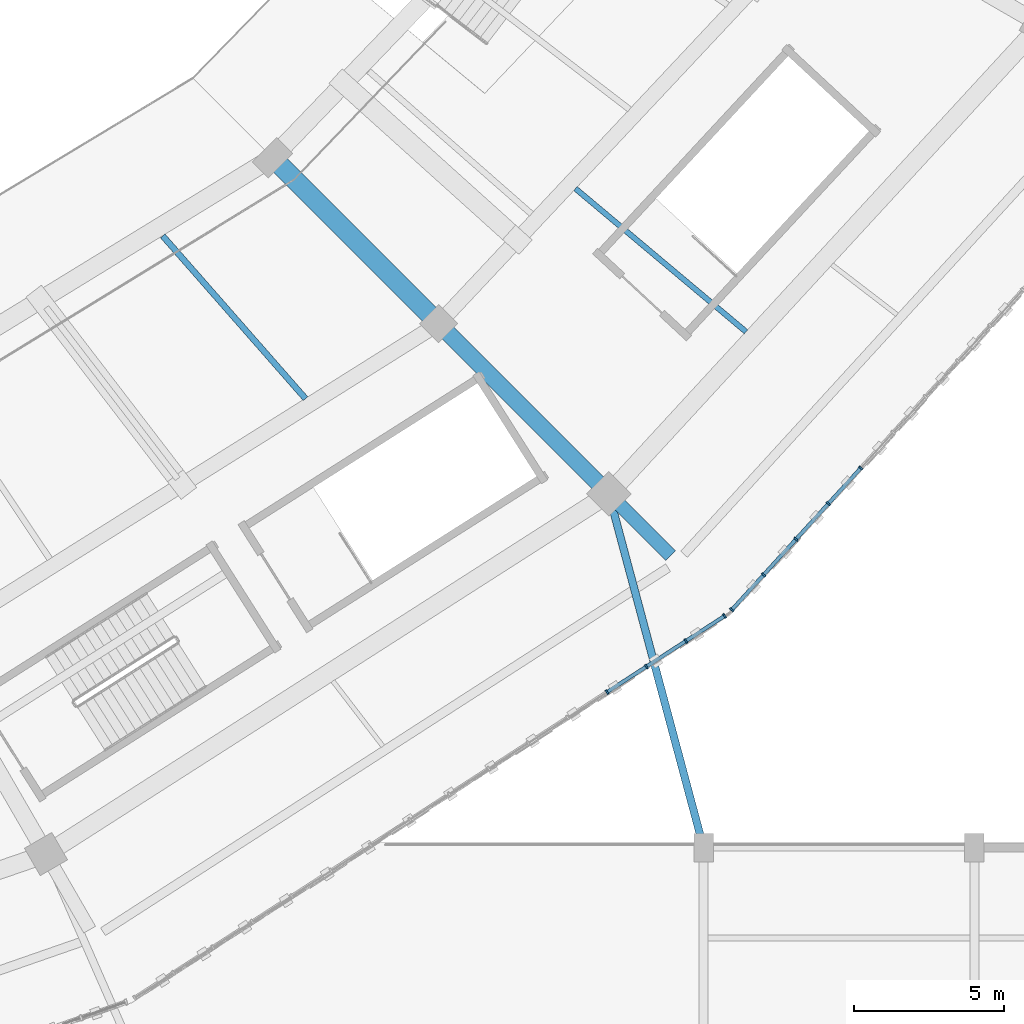
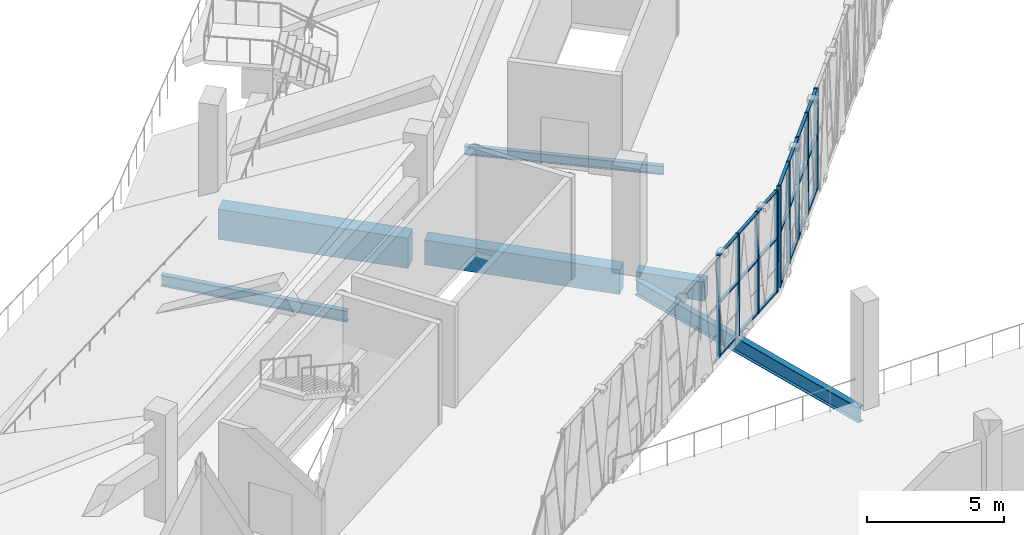
# One storey, part 30 of 152: 30 members, 6 beams, 2 elements without a shape of their own.
"""IFC4 building model written with IfcOpenShell, lengths in metres."""

from ifc_helpers import new_model, si_unit, direction, frame, origin, origin_2d, place, context, subcontext, project, spatial, rectangle, i_section, extrude, material, material_profile, profile_set, type_object, element, aggregate, save


model = new_model("IFC4")

# Units and contexts
model_context = context("Model", 3, precision=1e-05, world=origin(), true_north=direction((0.0, 1.0)))
body_context = subcontext(model_context, "Body", "Model", "MODEL_VIEW")
ifc_project = project(units=[si_unit("LENGTHUNIT", "METRE"), si_unit("AREAUNIT", "SQUARE_METRE"), si_unit("VOLUMEUNIT", "CUBIC_METRE"), si_unit("PLANEANGLEUNIT", "RADIAN"), si_unit("MASSUNIT", "GRAM", prefix="KILO")], contexts=[model_context])

# Site, building, storey
site_placement = place(None, origin())
site = spatial("IfcSite", under=ifc_project, at=site_placement, CompositionType="ELEMENT")
building_placement = place(site_placement, origin())
building = spatial("IfcBuilding", under=site, at=building_placement, Name="Zevraka Park Crest Stadium", CompositionType="ELEMENT")
storey_placement = place(building_placement, frame((0.0, 0.0, 15.0)))
storey = spatial("IfcBuildingStorey", under=building, at=storey_placement, Name="L03", CompositionType="ELEMENT", Elevation=15.0)

# Beams
ifc_material_1 = material(Name="Concrete C40/50", Category="concrete")
ifc_material_profile_1 = material_profile(ifc_material_1, rectangle(XDim=0.64990234375, YDim=1.35009765625, at=origin_2d()), Name="RC 1350x650")
ifc_profile_set_1 = profile_set([ifc_material_profile_1], Name="Concrete C40/50")
beam_type_1 = type_object("IfcBeamType", Name="BG01", PredefinedType="BEAM", material=ifc_profile_set_1)
beam_1_placement = place(storey_placement, frame((164.89111328125, 49.715087890625, -0.68505859375), z_axis=(0.707157639372, -0.707055919343, 0.0), x_axis=(0.707055919343, 0.707157639372, 0.0)))
element("IfcBeam", 1, at=beam_1_placement, inside=storey, type_object=beam_type_1, Name="Radial Girder BG01 L03-BC-21", PredefinedType="BEAM", context=body_context, shape_type="SweptSolid", body=[
    extrude(rectangle(XDim=0.64990234375, YDim=1.35009765625, at=origin_2d()), origin(), (0.0, 0.0, 1.0), 7.200439453125),
])
ifc_material_2 = material(Name="Concrete C40/50", Category="concrete")
ifc_material_profile_2 = material_profile(ifc_material_2, rectangle(XDim=0.550048828125, YDim=1.10009765625, at=origin_2d()), Name="RC 1100x550")
ifc_profile_set_2 = profile_set([ifc_material_profile_2], Name="Concrete C40/50")
beam_type_2 = type_object("IfcBeamType", Name="BG02", PredefinedType="BEAM", material=ifc_profile_set_2)
beam_2_placement = place(storey_placement, frame((170.406982421875, 44.199951171875, -0.56005859375), z_axis=(0.707106781187, -0.707106781187, 0.0), x_axis=(0.707106781187, 0.707106781187, 0.0)))
element("IfcBeam", 2, at=beam_2_placement, inside=storey, type_object=beam_type_2, Name="Radial Girder BG02 L03-CD-21", PredefinedType="BEAM", context=body_context, shape_type="SweptSolid", body=[
    extrude(rectangle(XDim=0.550048828125, YDim=1.10009765625, at=origin_2d()), origin(), (0.0, 0.0, 1.0), 7.400390625),
])
ifc_material_3 = material(Name="Concrete C40/50", Category="concrete")
ifc_material_profile_3 = material_profile(ifc_material_3, rectangle(XDim=0.449951171875, YDim=0.85009765625, at=origin_2d()), Name="RC 850x450")
ifc_profile_set_3 = profile_set([ifc_material_profile_3], Name="Concrete C40/50")
beam_type_3 = type_object("IfcBeamType", Name="BG03", PredefinedType="BEAM", material=ifc_profile_set_3)
beam_3_placement = place(storey_placement, frame((176.06396484375, 38.54296875, -0.43505859375), z_axis=(0.706965918589, -0.707247615728, 0.0), x_axis=(0.707247615728, 0.706965918589, 0.0)))
element("IfcBeam", 3, at=beam_3_placement, inside=storey, type_object=beam_type_3, Name="Radial Girder BG03 L03-DE-21", PredefinedType="BEAM", context=body_context, shape_type="SweptSolid", body=[
    extrude(rectangle(XDim=0.449951171875, YDim=0.85009765625, at=origin_2d()), origin(), (0.0, 0.0, 1.0), 2.60009765625),
])
ifc_material_4 = material(Name="Steel S355", Category="steel")
ifc_material_profile_4 = material_profile(ifc_material_4, i_section(OverallWidth=0.253662109375, OverallDepth=0.68359375, WebThickness=0.012451171875, FlangeThickness=0.01904296875, at=origin_2d()), Name="UKB 686x254x140")
ifc_profile_set_4 = profile_set([ifc_material_profile_4], Name="Steel S355")
beam_type_4 = type_object("IfcBeamType", Name="BG05", PredefinedType="BEAM", material=ifc_profile_set_4)
beam_4_placement = place(storey_placement, frame((178.947998046875, 27.193115234375, -0.649658203125), z_axis=(-0.25869045552, 0.96596027259, 0.0), x_axis=(-0.96596027259, -0.25869045552, 0.0)))
element("IfcBeam", 4, at=beam_4_placement, inside=storey, type_object=beam_type_4, Name="Wing Link Girder BG05 L03-20/D", PredefinedType="BEAM", context=body_context, shape_type="SweptSolid", body=[
    extrude(i_section(OverallWidth=0.253662109375, OverallDepth=0.68359375, WebThickness=0.012451171875, FlangeThickness=0.01904296875, at=origin_2d()), origin(), (0.0, 0.0, 1.0), 11.58935546875),
])

# Curtain wall, members
ifc_material_5 = material(Name="Anodised architectural aluminium and laminated safety glass", Category="aluminium")
curtain_wall_type = type_object("IfcCurtainWallType", Name="CW13", PredefinedType="NOTDEFINED", material=ifc_material_5)
curtain_wall_1_placement = place(storey_placement, origin())
curtain_wall_1 = element("IfcCurtainWall", 5, at=curtain_wall_1_placement, inside=storey, type_object=curtain_wall_type, Name="Unitised Ring Curtain Wall CW13 L03-20", PredefinedType="NOTDEFINED")
ifc_material_6 = material(Name="Anodised architectural aluminium", Category="aluminium")
ifc_material_profile_5 = material_profile(ifc_material_6, rectangle(XDim=0.159912109375, YDim=0.06005859375, at=origin_2d()), Name="ALU MULLION 160x60")
ifc_profile_set_5 = profile_set([ifc_material_profile_5], Name="Anodised architectural aluminium")
member_type_1 = type_object("IfcMemberType", Name="CM01", PredefinedType="MULLION", material=ifc_profile_set_5)
member_1_placement = place(storey_placement, frame((175.79150390625, 32.1708984375, 0.0), z_axis=(0.0, 0.0, 1.0), x_axis=(-0.543469160232, 0.839429134517, 0.0)))
member_1 = element("IfcMember", 6, at=member_1_placement, type_object=member_type_1, Name="CW13 mullion 13", PredefinedType="MULLION", context=body_context, shape_type="SweptSolid", body=[
    extrude(rectangle(XDim=0.159912109375, YDim=0.06005859375, at=origin_2d()), origin(), (0.0, 0.0, 1.0), 4.5400390625),
])
member_2_placement = place(storey_placement, frame((177.101318359375, 33.01904296875, 0.0), z_axis=(0.0, 0.0, 1.0), x_axis=(-0.543469160232, 0.839429134517, 0.0)))
member_2 = element("IfcMember", 7, at=member_2_placement, type_object=member_type_1, Name="CW13 mullion 14", PredefinedType="MULLION", context=body_context, shape_type="SweptSolid", body=[
    extrude(rectangle(XDim=0.159912109375, YDim=0.06005859375, at=origin_2d()), origin(), (0.0, 0.0, 1.0), 4.5400390625),
])
member_3_placement = place(storey_placement, frame((178.4111328125, 33.866943359375, 0.0), z_axis=(0.0, 0.0, 1.0), x_axis=(-0.543469160232, 0.839429134517, 0.0)))
member_3 = element("IfcMember", 8, at=member_3_placement, type_object=member_type_1, Name="CW13 mullion 15", PredefinedType="MULLION", context=body_context, shape_type="SweptSolid", body=[
    extrude(rectangle(XDim=0.159912109375, YDim=0.06005859375, at=origin_2d()), origin(), (0.0, 0.0, 1.0), 4.5400390625),
])
member_4_placement = place(storey_placement, frame((179.69580078125, 34.69873046875, 0.0), z_axis=(0.0, 0.0, 1.0), x_axis=(-0.543469160232, 0.839429134517, 0.0)))
member_4 = element("IfcMember", 9, at=member_4_placement, type_object=member_type_1, Name="CW13 mullion 16", PredefinedType="MULLION", context=body_context, shape_type="SweptSolid", body=[
    extrude(rectangle(XDim=0.159912109375, YDim=0.06005859375, at=origin_2d()), origin(), (0.0, 0.0, 1.0), 4.5400390625),
])

curtain_wall_2_placement = place(storey_placement, origin())
curtain_wall_2 = element("IfcCurtainWall", 10, at=curtain_wall_2_placement, inside=storey, type_object=curtain_wall_type, Name="Unitised Ring Curtain Wall CW13 L03-21", PredefinedType="NOTDEFINED")
member_5_placement = place(storey_placement, frame((179.937255859375, 34.903076171875, 0.0), z_axis=(0.0, 0.0, 1.0), x_axis=(-0.739822878481, 0.672801685845, 0.0)))
member_5 = element("IfcMember", 11, at=member_5_placement, type_object=member_type_1, Name="CW13 mullion 1", PredefinedType="MULLION", context=body_context, shape_type="SweptSolid", body=[
    extrude(rectangle(XDim=0.159912109375, YDim=0.06005859375, at=origin_2d()), origin(), (0.0, 0.0, 1.0), 4.5400390625),
])
member_6_placement = place(storey_placement, frame((180.9931640625, 36.064453125, 0.0), z_axis=(0.0, 0.0, 1.0), x_axis=(-0.739822878481, 0.672801685845, 0.0)))
member_6 = element("IfcMember", 12, at=member_6_placement, type_object=member_type_1, Name="CW13 mullion 2", PredefinedType="MULLION", context=body_context, shape_type="SweptSolid", body=[
    extrude(rectangle(XDim=0.159912109375, YDim=0.06005859375, at=origin_2d()), origin(), (0.0, 0.0, 1.0), 4.5400390625),
])
member_7_placement = place(storey_placement, frame((182.069580078125, 37.248046875, 0.0), z_axis=(0.0, 0.0, 1.0), x_axis=(-0.739822878481, 0.672801685845, 0.0)))
member_7 = element("IfcMember", 13, at=member_7_placement, type_object=member_type_1, Name="CW13 mullion 3", PredefinedType="MULLION", context=body_context, shape_type="SweptSolid", body=[
    extrude(rectangle(XDim=0.159912109375, YDim=0.06005859375, at=origin_2d()), origin(), (0.0, 0.0, 1.0), 4.5400390625),
])
member_8_placement = place(storey_placement, frame((183.145751953125, 38.431396484375, 0.0), z_axis=(0.0, 0.0, 1.0), x_axis=(-0.739822878481, 0.672801685845, 0.0)))
member_8 = element("IfcMember", 14, at=member_8_placement, type_object=member_type_1, Name="CW13 mullion 4", PredefinedType="MULLION", context=body_context, shape_type="SweptSolid", body=[
    extrude(rectangle(XDim=0.159912109375, YDim=0.06005859375, at=origin_2d()), origin(), (0.0, 0.0, 1.0), 4.5400390625),
])
member_9_placement = place(storey_placement, frame((184.22216796875, 39.614990234375, 0.0), z_axis=(0.0, 0.0, 1.0), x_axis=(-0.739822878481, 0.672801685845, 0.0)))
member_9 = element("IfcMember", 15, at=member_9_placement, type_object=member_type_1, Name="CW13 mullion 5", PredefinedType="MULLION", context=body_context, shape_type="SweptSolid", body=[
    extrude(rectangle(XDim=0.159912109375, YDim=0.06005859375, at=origin_2d()), origin(), (0.0, 0.0, 1.0), 4.5400390625),
])

# Member
ifc_material_7 = material(Name="Anodised architectural aluminium", Category="aluminium")
ifc_material_profile_6 = material_profile(ifc_material_7, rectangle(XDim=0.1201171875, YDim=0.06005859375, at=origin_2d()), Name="ALU TRANSOM 120x60")
ifc_profile_set_6 = profile_set([ifc_material_profile_6], Name="Anodised architectural aluminium")
member_type_2 = type_object("IfcMemberType", Name="CT01", PredefinedType="USERDEFINED", material=ifc_profile_set_6)
member_10_placement = place(storey_placement, frame((175.81689453125, 32.187255859375, 0.030029296875), z_axis=(0.839386734847, 0.543534644124, 0.0), x_axis=(-0.543534644124, 0.839386734847, 0.0)))
member_10 = element("IfcMember", 16, at=member_10_placement, type_object=member_type_2, Name="CW13 transom 13.1", ObjectType="TRANSOM", PredefinedType="USERDEFINED", context=body_context, shape_type="SweptSolid", body=[
    extrude(rectangle(XDim=0.1201171875, YDim=0.06005859375, at=origin_2d()), origin(), (0.0, 0.0, 1.0), 1.500244140625),
])

member_11_placement = place(storey_placement, frame((175.81689453125, 32.187255859375, 2.39990234375), z_axis=(0.839386734847, 0.543534644124, 0.0), x_axis=(-0.543534644124, 0.839386734847, 0.0)))
member_11 = element("IfcMember", 17, at=member_11_placement, type_object=member_type_2, Name="CW13 transom 13.2", ObjectType="TRANSOM", PredefinedType="USERDEFINED", context=body_context, shape_type="SweptSolid", body=[
    extrude(rectangle(XDim=0.1201171875, YDim=0.06005859375, at=origin_2d()), origin(), (0.0, 0.0, 1.0), 1.500244140625),
])

member_12_placement = place(storey_placement, frame((175.81689453125, 32.187255859375, 4.510009765625), z_axis=(0.839386734847, 0.543534644124, 0.0), x_axis=(-0.543534644124, 0.839386734847, 0.0)))
member_12 = element("IfcMember", 18, at=member_12_placement, type_object=member_type_2, Name="CW13 transom 13.3", ObjectType="TRANSOM", PredefinedType="USERDEFINED", context=body_context, shape_type="SweptSolid", body=[
    extrude(rectangle(XDim=0.1201171875, YDim=0.06005859375, at=origin_2d()), origin(), (0.0, 0.0, 1.0), 1.500244140625),
])

member_13_placement = place(storey_placement, frame((177.12646484375, 33.035400390625, 0.030029296875), z_axis=(0.839509029958, 0.543345735807, 0.0), x_axis=(-0.543345735807, 0.839509029958, 0.0)))
member_13 = element("IfcMember", 19, at=member_13_placement, type_object=member_type_2, Name="CW13 transom 14.1", ObjectType="TRANSOM", PredefinedType="USERDEFINED", context=body_context, shape_type="SweptSolid", body=[
    extrude(rectangle(XDim=0.1201171875, YDim=0.06005859375, at=origin_2d()), origin(), (0.0, 0.0, 1.0), 1.500244140625),
])

member_14_placement = place(storey_placement, frame((177.12646484375, 33.035400390625, 2.39990234375), z_axis=(0.839509029958, 0.543345735807, 0.0), x_axis=(-0.543345735807, 0.839509029958, 0.0)))
member_14 = element("IfcMember", 20, at=member_14_placement, type_object=member_type_2, Name="CW13 transom 14.2", ObjectType="TRANSOM", PredefinedType="USERDEFINED", context=body_context, shape_type="SweptSolid", body=[
    extrude(rectangle(XDim=0.1201171875, YDim=0.06005859375, at=origin_2d()), origin(), (0.0, 0.0, 1.0), 1.500244140625),
])

member_15_placement = place(storey_placement, frame((177.12646484375, 33.035400390625, 4.510009765625), z_axis=(0.839509029958, 0.543345735807, 0.0), x_axis=(-0.543345735807, 0.839509029958, 0.0)))
member_15 = element("IfcMember", 21, at=member_15_placement, type_object=member_type_2, Name="CW13 transom 14.3", ObjectType="TRANSOM", PredefinedType="USERDEFINED", context=body_context, shape_type="SweptSolid", body=[
    extrude(rectangle(XDim=0.1201171875, YDim=0.06005859375, at=origin_2d()), origin(), (0.0, 0.0, 1.0), 1.500244140625),
])

member_16_placement = place(storey_placement, frame((178.436279296875, 33.88330078125, 0.030029296875), z_axis=(0.839458776454, 0.543423373286, 0.0), x_axis=(-0.543423373286, 0.839458776454, 0.0)))
member_16 = element("IfcMember", 22, at=member_16_placement, type_object=member_type_2, Name="CW13 transom 15.1", ObjectType="TRANSOM", PredefinedType="USERDEFINED", context=body_context, shape_type="SweptSolid", body=[
    extrude(rectangle(XDim=0.1201171875, YDim=0.06005859375, at=origin_2d()), origin(), (0.0, 0.0, 1.0), 1.470458984375),
])

member_17_placement = place(storey_placement, frame((178.436279296875, 33.88330078125, 2.39990234375), z_axis=(0.839458776454, 0.543423373286, 0.0), x_axis=(-0.543423373286, 0.839458776454, 0.0)))
member_17 = element("IfcMember", 23, at=member_17_placement, type_object=member_type_2, Name="CW13 transom 15.2", ObjectType="TRANSOM", PredefinedType="USERDEFINED", context=body_context, shape_type="SweptSolid", body=[
    extrude(rectangle(XDim=0.1201171875, YDim=0.06005859375, at=origin_2d()), origin(), (0.0, 0.0, 1.0), 1.470458984375),
])

member_18_placement = place(storey_placement, frame((178.436279296875, 33.88330078125, 4.510009765625), z_axis=(0.839458776454, 0.543423373286, 0.0), x_axis=(-0.543423373286, 0.839458776454, 0.0)))
member_18 = element("IfcMember", 24, at=member_18_placement, type_object=member_type_2, Name="CW13 transom 15.3", ObjectType="TRANSOM", PredefinedType="USERDEFINED", context=body_context, shape_type="SweptSolid", body=[
    extrude(rectangle(XDim=0.1201171875, YDim=0.06005859375, at=origin_2d()), origin(), (0.0, 0.0, 1.0), 1.470458984375),
])

aggregate(curtain_wall_1, [member_1, member_2, member_3, member_4, member_10, member_11, member_12, member_13, member_14, member_15, member_16, member_17, member_18])

member_19_placement = place(storey_placement, frame((179.957275390625, 34.92529296875, 0.030029296875), z_axis=(0.672841795223, 0.73978640066, 0.0), x_axis=(-0.73978640066, 0.672841795223, 0.0)))
member_19 = element("IfcMember", 25, at=member_19_placement, type_object=member_type_2, Name="CW13 transom 1.1", ObjectType="TRANSOM", PredefinedType="USERDEFINED", context=body_context, shape_type="SweptSolid", body=[
    extrude(rectangle(XDim=0.1201171875, YDim=0.06005859375, at=origin_2d()), origin(), (0.0, 0.0, 1.0), 1.509765625),
])

member_20_placement = place(storey_placement, frame((179.957275390625, 34.92529296875, 2.39990234375), z_axis=(0.672841795223, 0.73978640066, 0.0), x_axis=(-0.73978640066, 0.672841795223, 0.0)))
member_20 = element("IfcMember", 26, at=member_20_placement, type_object=member_type_2, Name="CW13 transom 1.2", ObjectType="TRANSOM", PredefinedType="USERDEFINED", context=body_context, shape_type="SweptSolid", body=[
    extrude(rectangle(XDim=0.1201171875, YDim=0.06005859375, at=origin_2d()), origin(), (0.0, 0.0, 1.0), 1.509765625),
])

member_21_placement = place(storey_placement, frame((179.957275390625, 34.92529296875, 4.510009765625), z_axis=(0.672841795223, 0.73978640066, 0.0), x_axis=(-0.73978640066, 0.672841795223, 0.0)))
member_21 = element("IfcMember", 27, at=member_21_placement, type_object=member_type_2, Name="CW13 transom 1.3", ObjectType="TRANSOM", PredefinedType="USERDEFINED", context=body_context, shape_type="SweptSolid", body=[
    extrude(rectangle(XDim=0.1201171875, YDim=0.06005859375, at=origin_2d()), origin(), (0.0, 0.0, 1.0), 1.509765625),
])

member_22_placement = place(storey_placement, frame((181.013427734375, 36.086669921875, 0.030029296875), z_axis=(0.672775385986, 0.739846794959, 0.0), x_axis=(-0.739846794959, 0.672775385986, 0.0)))
member_22 = element("IfcMember", 28, at=member_22_placement, type_object=member_type_2, Name="CW13 transom 2.1", ObjectType="TRANSOM", PredefinedType="USERDEFINED", context=body_context, shape_type="SweptSolid", body=[
    extrude(rectangle(XDim=0.1201171875, YDim=0.06005859375, at=origin_2d()), origin(), (0.0, 0.0, 1.0), 1.539794921875),
])

member_23_placement = place(storey_placement, frame((181.013427734375, 36.086669921875, 2.39990234375), z_axis=(0.672775385986, 0.739846794959, 0.0), x_axis=(-0.739846794959, 0.672775385986, 0.0)))
member_23 = element("IfcMember", 29, at=member_23_placement, type_object=member_type_2, Name="CW13 transom 2.2", ObjectType="TRANSOM", PredefinedType="USERDEFINED", context=body_context, shape_type="SweptSolid", body=[
    extrude(rectangle(XDim=0.1201171875, YDim=0.06005859375, at=origin_2d()), origin(), (0.0, 0.0, 1.0), 1.539794921875),
])

member_24_placement = place(storey_placement, frame((181.013427734375, 36.086669921875, 4.510009765625), z_axis=(0.672775385986, 0.739846794959, 0.0), x_axis=(-0.739846794959, 0.672775385986, 0.0)))
member_24 = element("IfcMember", 30, at=member_24_placement, type_object=member_type_2, Name="CW13 transom 2.3", ObjectType="TRANSOM", PredefinedType="USERDEFINED", context=body_context, shape_type="SweptSolid", body=[
    extrude(rectangle(XDim=0.1201171875, YDim=0.06005859375, at=origin_2d()), origin(), (0.0, 0.0, 1.0), 1.539794921875),
])

member_25_placement = place(storey_placement, frame((182.08984375, 37.270263671875, 0.030029296875), z_axis=(0.672775385986, 0.739846794959, 0.0), x_axis=(-0.739846794959, 0.672775385986, 0.0)))
member_25 = element("IfcMember", 31, at=member_25_placement, type_object=member_type_2, Name="CW13 transom 3.1", ObjectType="TRANSOM", PredefinedType="USERDEFINED", context=body_context, shape_type="SweptSolid", body=[
    extrude(rectangle(XDim=0.1201171875, YDim=0.06005859375, at=origin_2d()), origin(), (0.0, 0.0, 1.0), 1.539794921875),
])

member_26_placement = place(storey_placement, frame((182.08984375, 37.270263671875, 2.39990234375), z_axis=(0.672775385986, 0.739846794959, 0.0), x_axis=(-0.739846794959, 0.672775385986, 0.0)))
member_26 = element("IfcMember", 32, at=member_26_placement, type_object=member_type_2, Name="CW13 transom 3.2", ObjectType="TRANSOM", PredefinedType="USERDEFINED", context=body_context, shape_type="SweptSolid", body=[
    extrude(rectangle(XDim=0.1201171875, YDim=0.06005859375, at=origin_2d()), origin(), (0.0, 0.0, 1.0), 1.539794921875),
])

member_27_placement = place(storey_placement, frame((182.08984375, 37.270263671875, 4.510009765625), z_axis=(0.672775385986, 0.739846794959, 0.0), x_axis=(-0.739846794959, 0.672775385986, 0.0)))
member_27 = element("IfcMember", 33, at=member_27_placement, type_object=member_type_2, Name="CW13 transom 3.3", ObjectType="TRANSOM", PredefinedType="USERDEFINED", context=body_context, shape_type="SweptSolid", body=[
    extrude(rectangle(XDim=0.1201171875, YDim=0.06005859375, at=origin_2d()), origin(), (0.0, 0.0, 1.0), 1.539794921875),
])

member_28_placement = place(storey_placement, frame((183.166015625, 38.45361328125, 0.030029296875), z_axis=(0.672775385986, 0.739846794959, 0.0), x_axis=(-0.739846794959, 0.672775385986, 0.0)))
member_28 = element("IfcMember", 34, at=member_28_placement, type_object=member_type_2, Name="CW13 transom 4.1", ObjectType="TRANSOM", PredefinedType="USERDEFINED", context=body_context, shape_type="SweptSolid", body=[
    extrude(rectangle(XDim=0.1201171875, YDim=0.06005859375, at=origin_2d()), origin(), (0.0, 0.0, 1.0), 1.539794921875),
])

member_29_placement = place(storey_placement, frame((183.166015625, 38.45361328125, 2.39990234375), z_axis=(0.672775385986, 0.739846794959, 0.0), x_axis=(-0.739846794959, 0.672775385986, 0.0)))
member_29 = element("IfcMember", 35, at=member_29_placement, type_object=member_type_2, Name="CW13 transom 4.2", ObjectType="TRANSOM", PredefinedType="USERDEFINED", context=body_context, shape_type="SweptSolid", body=[
    extrude(rectangle(XDim=0.1201171875, YDim=0.06005859375, at=origin_2d()), origin(), (0.0, 0.0, 1.0), 1.539794921875),
])

member_30_placement = place(storey_placement, frame((183.166015625, 38.45361328125, 4.510009765625), z_axis=(0.672775385986, 0.739846794959, 0.0), x_axis=(-0.739846794959, 0.672775385986, 0.0)))
member_30 = element("IfcMember", 36, at=member_30_placement, type_object=member_type_2, Name="CW13 transom 4.3", ObjectType="TRANSOM", PredefinedType="USERDEFINED", context=body_context, shape_type="SweptSolid", body=[
    extrude(rectangle(XDim=0.1201171875, YDim=0.06005859375, at=origin_2d()), origin(), (0.0, 0.0, 1.0), 1.539794921875),
])

aggregate(curtain_wall_2, [member_5, member_6, member_7, member_8, member_9, member_19, member_20, member_21, member_22, member_23, member_24, member_25, member_26, member_27, member_28, member_29, member_30])

# Beams
ifc_material_8 = material(Name="Steel S355", Category="steel")
ifc_material_profile_7 = material_profile(ifc_material_8, i_section(OverallWidth=0.179931640625, OverallDepth=0.39990234375, WebThickness=0.008544921875, FlangeThickness=0.013427734375, at=origin_2d()), Name="IPE 400")
ifc_profile_set_7 = profile_set([ifc_material_profile_7], Name="Steel S355")
beam_type_5 = type_object("IfcBeamType", Name="SJ09", PredefinedType="JOIST", material=ifc_profile_set_7)
beam_5_placement = place(storey_placement, frame((174.741943359375, 48.89990234375, -0.508056640625), z_axis=(0.765933630726, -0.642919647642, 0.0), x_axis=(0.642919647642, 0.765933630726, 0.0)))
element("IfcBeam", 37, at=beam_5_placement, inside=storey, type_object=beam_type_5, Name="Floor Joist SJ09 L03-CD-21-1", PredefinedType="JOIST", context=body_context, shape_type="SweptSolid", body=[
    extrude(i_section(OverallWidth=0.179931640625, OverallDepth=0.39990234375, WebThickness=0.008544921875, FlangeThickness=0.013427734375, at=origin_2d()), origin(), (0.0, 0.0, 1.0), 7.398681640625),
])
ifc_material_9 = material(Name="Steel S355", Category="steel")
ifc_material_profile_8 = material_profile(ifc_material_9, i_section(OverallWidth=0.199951171875, OverallDepth=0.5, WebThickness=0.01025390625, FlangeThickness=0.01611328125, at=origin_2d()), Name="IPE 500")
ifc_profile_set_8 = profile_set([ifc_material_profile_8], Name="Steel S355")
beam_type_6 = type_object("IfcBeamType", Name="SJ10", PredefinedType="JOIST", material=ifc_profile_set_8)
beam_6_placement = place(storey_placement, frame((161.030029296875, 47.325927734375, -0.55810546875), z_axis=(0.659576187041, -0.751637714254, 0.0), x_axis=(0.751637714254, 0.659576187041, 0.0)))
element("IfcBeam", 38, at=beam_6_placement, inside=storey, type_object=beam_type_6, Name="Floor Joist SJ10 L03-BC-20-3", PredefinedType="JOIST", context=body_context, shape_type="SweptSolid", body=[
    extrude(i_section(OverallWidth=0.199951171875, OverallDepth=0.5, WebThickness=0.01025390625, FlangeThickness=0.01611328125, at=origin_2d()), origin(), (0.0, 0.0, 1.0), 7.189453125),
])

save(model, "model.ifc")
